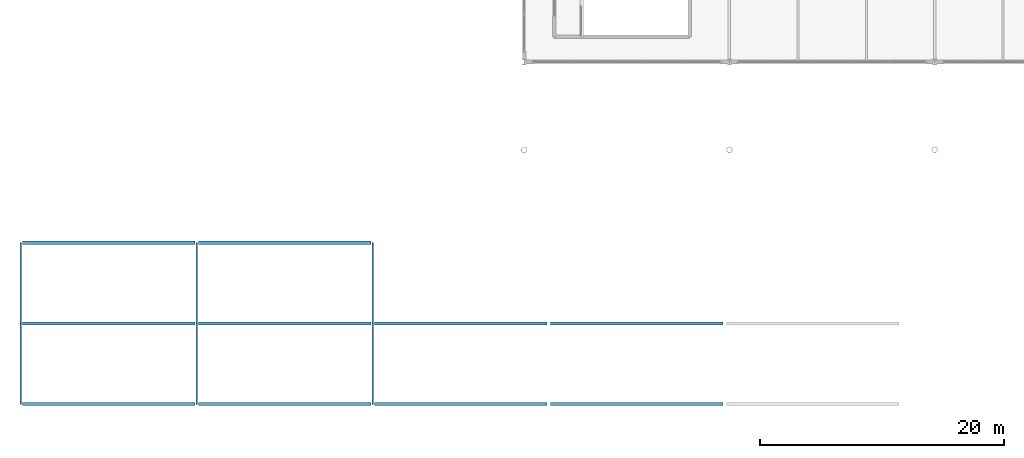
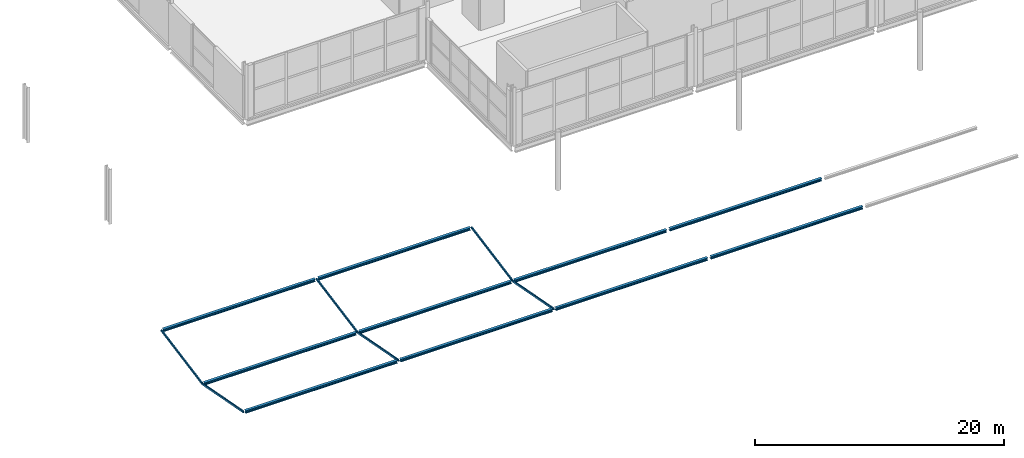
# One storey, part 17 of 84: 10 beams, 6 members.
"""IFC4 building model written with IfcOpenShell, lengths in metres."""

import ifcopenshell
import ifcopenshell.guid

model = None  # the IFC model being written
_history = None  # IfcOwnerHistory: only IFC2X3 demands one
_inside = {}  # id of a spatial element -> (the spatial element, [elements in it])
_under = {}  # id of a project, library or spatial element -> (it, [spatial elements below it])
_declared = {}  # id of a project -> (the project, [libraries it declares])
_typed = {}  # id of a type object -> (the type object, [elements of that type])
_made_of = {}  # id of a material, layer set ... -> (it, [elements and type objects made of it])


def new_model(schema):
    """Start an empty IFC model of exactly this schema.

    Asked for "IFC4X3", IfcOpenShell would pick the latest addendum, in which some entities
    have other attributes; the version numbers below select the first issue.
    IFC2X3 requires an IfcOwnerHistory on every rooted entity: one is made here for all.
    """
    global model, _history
    if schema == "IFC4X3":
        model = ifcopenshell.file(schema_version=(4, 3, 0, 0))
    else:
        model = ifcopenshell.file(schema=schema)
    _inside.clear()
    _under.clear()
    _declared.clear()
    _typed.clear()
    _made_of.clear()
    _history = None
    if model.schema == "IFC2X3":
        org = make("IfcOrganization", Name="unknown")
        user = make(
            "IfcPersonAndOrganization",
            ThePerson=make("IfcPerson", FamilyName="unknown"),
            TheOrganization=org,
        )
        app = make(
            "IfcApplication",
            ApplicationDeveloper=org,
            Version="unknown",
            ApplicationFullName="unknown",
            ApplicationIdentifier="unknown",
        )
        _history = make(
            "IfcOwnerHistory",
            OwningUser=user,
            OwningApplication=app,
            ChangeAction="ADDED",
            CreationDate=0,
        )
    return model


def make(cls, **values):
    """One entity of the class cls with the attributes given. An attribute that is None is left unset."""
    return model.create_entity(
        cls, **{name: value for name, value in values.items() if value is not None}
    )


def rooted(cls, **values):
    """An entity with a GlobalId (a new one), such as an element, a storey or a relation."""
    return make(cls, GlobalId=ifcopenshell.guid.new(), OwnerHistory=_history, **values)


def si_unit(unit_type, name, prefix=None):
    """IfcSIUnit, for example si_unit("LENGTHUNIT", "METRE", prefix="MILLI")."""
    return make("IfcSIUnit", UnitType=unit_type, Prefix=prefix, Name=name)


def assignment(units):
    """IfcUnitAssignment: the units of a project."""
    return None if units is None else make("IfcUnitAssignment", Units=units)


def point(xyz):
    """IfcCartesianPoint."""
    return None if xyz is None else make("IfcCartesianPoint", Coordinates=xyz)


def direction(xyz):
    """IfcDirection."""
    return None if xyz is None else make("IfcDirection", DirectionRatios=xyz)


def frame(location, z_axis=None, x_axis=None):
    """IfcAxis2Placement3D, a coordinate frame: its origin and axes. An axis left out is left unset."""
    return make(
        "IfcAxis2Placement3D",
        Location=point(location),
        Axis=direction(z_axis),
        RefDirection=direction(x_axis),
    )


def frame_2d(location, x_axis=None):
    """IfcAxis2Placement2D, a coordinate frame in the plane: its origin and x axis."""
    return make(
        "IfcAxis2Placement2D", Location=point(location), RefDirection=direction(x_axis)
    )


def origin():
    """The frame at (0, 0, 0) with its axes left unset."""
    return frame((0.0, 0.0, 0.0))


def origin_2d():
    """The frame at (0, 0) in the plane with its x axis left unset."""
    return frame_2d((0.0, 0.0))


def place(relative_to, where):
    """IfcLocalPlacement: puts the frame where relative to a parent placement (None: the world)."""
    return make(
        "IfcLocalPlacement", PlacementRelTo=relative_to, RelativePlacement=where
    )


def context(
    kind, dimensions, precision=None, world=None, true_north=None, identifier=None
):
    """IfcGeometricRepresentationContext, for example the 3D "Model" context."""
    return make(
        "IfcGeometricRepresentationContext",
        ContextIdentifier=identifier,
        ContextType=kind,
        CoordinateSpaceDimension=dimensions,
        Precision=precision,
        WorldCoordinateSystem=world,
        TrueNorth=true_north,
    )


def subcontext(parent, identifier, kind, view, scale=None):
    """IfcGeometricRepresentationSubContext, for example "Body" below "Model"."""
    return make(
        "IfcGeometricRepresentationSubContext",
        ContextIdentifier=identifier,
        ContextType=kind,
        ParentContext=parent,
        TargetScale=scale,
        TargetView=view,
    )


def project(units=None, contexts=None):
    """IfcProject with its units and contexts."""
    return rooted(
        "IfcProject",
        Name="project",
        RepresentationContexts=contexts,
        UnitsInContext=assignment(units),
    )


def spatial(cls, under=None, at=None, **own):
    """A site, building, storey or space (cls), placed at a placement, below another one or the project."""
    s = rooted(cls, ObjectPlacement=at, **own)
    if under is not None:
        _under.setdefault(under.id(), (under, []))[1].append(s)
    return s


def profile(cls, at=None, kind="AREA", **sizes):
    """A parametric profile (cls). Its sizes go by their IFC names, for example OverallWidth=200.0."""
    return make(cls, ProfileType=kind, Position=at, **sizes)


def hollow_rectangle(**sizes):
    """IfcRectangleHollowProfileDef."""
    return profile("IfcRectangleHollowProfileDef", **sizes)


def i_section(**sizes):
    """IfcIShapeProfileDef."""
    return profile("IfcIShapeProfileDef", **sizes)


def extrude(swept, where, along, depth):
    """IfcExtrudedAreaSolid: the profile swept, set in the frame where, extruded along a direction by depth."""
    return make(
        "IfcExtrudedAreaSolid",
        SweptArea=swept,
        Position=where,
        ExtrudedDirection=direction(along),
        Depth=depth,
    )


def shape(context_of_items, identifier, shape_type, items):
    """IfcShapeRepresentation: the items that make up one representation, for example the "Body"."""
    return make(
        "IfcShapeRepresentation",
        ContextOfItems=context_of_items,
        RepresentationIdentifier=identifier,
        RepresentationType=shape_type,
        Items=items,
    )


def material(Name=None, Category=None):
    """IfcMaterial."""
    return make("IfcMaterial", Name=Name, Category=Category)


def material_profile(
    of_material, cross_section, Name=None, Category=None, Priority=None
):
    """IfcMaterialProfile: a cross section and its material."""
    return make(
        "IfcMaterialProfile",
        Name=Name,
        Material=of_material,
        Profile=cross_section,
        Priority=Priority,
        Category=Category,
    )


def profile_set(profiles, Name=None, composite=None):
    """IfcMaterialProfileSet."""
    return make(
        "IfcMaterialProfileSet",
        Name=Name,
        MaterialProfiles=profiles,
        CompositeProfile=composite,
    )


def made_of(thing, what):
    """Note that an element or type object is made of a material, layer set ...; save() writes the relation."""
    if what is not None:
        _made_of.setdefault(what.id(), (what, []))[1].append(thing)
    return thing


def type_object(cls, material=None, **own):
    """A type object (cls), such as IfcWallType, which elements share."""
    return made_of(rooted(cls, **own), material)


def element(
    cls,
    number,
    at=None,
    inside=None,
    cuts=None,
    type_object=None,
    material=None,
    context=None,
    identifier="Body",
    shape_type=None,
    held_by="IfcProductDefinitionShape",
    body=None,
    shapes=None,
    **own,
):
    """One element of the class cls, such as IfcWall. Its Tag is "e" and its number.

    at: its placement. inside: the storey or other place that contains it. cuts: it is an
    opening in that element (IfcRelVoidsElement). A single representation is given by context,
    identifier, shape_type and body (its items); several are given by shapes. held_by: the class
    of the entity that holds the representations. save() writes the other relations.
    """
    e = rooted(cls, Tag="e%d" % number, ObjectPlacement=at, **own)
    if body is not None:
        shapes = [shape(context, identifier, shape_type, body)]
    if shapes is not None:
        e.Representation = make(held_by, Representations=shapes)
    if inside is not None:
        _inside.setdefault(inside.id(), (inside, []))[1].append(e)
    if cuts is not None:
        rooted(
            "IfcRelVoidsElement", RelatingBuildingElement=cuts, RelatedOpeningElement=e
        )
    if type_object is not None:
        _typed.setdefault(type_object.id(), (type_object, []))[1].append(e)
    return made_of(e, material)


def aggregate(whole, parts):
    """IfcRelAggregates: a whole, such as a stair, and the parts it consists of."""
    return rooted("IfcRelAggregates", RelatingObject=whole, RelatedObjects=parts)


def save(model, path):
    """Write the relations noted so far, then the file.

    IfcRelAggregates (storeys below a building ...), IfcRelContainedInSpatialStructure (elements
    in a storey), IfcRelDefinesByType, IfcRelAssociatesMaterial and IfcRelDeclares: one each for
    every whole, place, type object, material and project.
    """
    for whole, parts in _under.values():
        aggregate(whole, parts)
    for where, things in _inside.values():
        rooted(
            "IfcRelContainedInSpatialStructure",
            RelatedElements=things,
            RelatingStructure=where,
        )
    for kind, things in _typed.values():
        rooted("IfcRelDefinesByType", RelatedObjects=things, RelatingType=kind)
    for what, things in _made_of.values():
        rooted("IfcRelAssociatesMaterial", RelatedObjects=things, RelatingMaterial=what)
    for by, libraries in _declared.values():
        rooted("IfcRelDeclares", RelatingContext=by, RelatedDefinitions=libraries)
    model.write(path)


model = new_model("IFC4")

# Units and contexts
model_context = context("Model", 3, precision=1e-05, world=origin(), true_north=direction((0.0, 1.0)))
body_context = subcontext(model_context, "Body", "Model", "MODEL_VIEW")
ifc_project = project(units=[si_unit("LENGTHUNIT", "METRE"), si_unit("AREAUNIT", "SQUARE_METRE"), si_unit("VOLUMEUNIT", "CUBIC_METRE"), si_unit("PLANEANGLEUNIT", "RADIAN"), si_unit("MASSUNIT", "GRAM", prefix="KILO")], contexts=[model_context])

# Site, building, storey
site_placement = place(None, origin())
site = spatial("IfcSite", under=ifc_project, at=site_placement, CompositionType="ELEMENT")
building_placement = place(site_placement, origin())
building = spatial("IfcBuilding", under=site, at=building_placement, Name="Kimbaza Rail Terminus", CompositionType="ELEMENT")
storey_placement = place(building_placement, frame((0.0, 0.0, 5.39990234375)))
storey = spatial("IfcBuildingStorey", under=building, at=storey_placement, Name="L01", CompositionType="ELEMENT", Elevation=5.39990234375)

# Beams
ifc_material_1 = material(Name="Steel S355", Category="steel")
ifc_material_profile_1 = material_profile(ifc_material_1, i_section(OverallWidth=0.260009765625, OverallDepth=0.25, WebThickness=0.007568359375, FlangeThickness=0.012451171875, FilletRadius=0.02392578125, at=origin_2d()), Name="HEA 260")
ifc_profile_set_1 = profile_set([ifc_material_profile_1], Name="Steel S355")
beam_type = type_object("IfcBeamType", Name="STR-BM-HEA260", PredefinedType="BEAM", material=ifc_profile_set_1)
for number, where, z_axis, x_axis, name in (
    (1, (14.139892578125, 13.0, 5.175048828125), (1.0, 0.0, 0.0), (0.0, 1.0, 0.0), "Beam BM-V3X-0-0"),
    (2, (14.139892578125, 19.60009765625, 3.925048828125), (1.0, 0.0, 0.0), (0.0, 1.0, 0.0), "Beam BM-V3X-0-1"),
    (3, (14.139892578125, 26.199951171875, 5.175048828125), (1.0, 0.0, 0.0), (0.0, 1.0, 0.0), "Beam BM-V3X-0-2"),
):
    element("IfcBeam", number, at=place(storey_placement, frame(where, z_axis=z_axis, x_axis=x_axis)), inside=storey, type_object=beam_type, Name=name, PredefinedType="BEAM", context=body_context, shape_type="SweptSolid", body=[
        extrude(i_section(OverallWidth=0.260009765625, OverallDepth=0.25, WebThickness=0.007568359375, FlangeThickness=0.012451171875, FilletRadius=0.02392578125, at=origin_2d()), origin(), (0.0, 0.0, 1.0), 14.1201171875),
    ])
for number, where, z_axis, x_axis, name in (
    (4, (28.5400390625, 13.0, 5.175048828125), (1.0, 0.0, 0.0), (0.0, 1.0, 0.0), "Beam BM-V3X-1-0"),
    (5, (28.5400390625, 19.60009765625, 3.925048828125), (1.0, 0.0, 0.0), (0.0, 1.0, 0.0), "Beam BM-V3X-1-1"),
    (6, (28.5400390625, 26.199951171875, 5.175048828125), (1.0, 0.0, 0.0), (0.0, 1.0, 0.0), "Beam BM-V3X-1-2"),
):
    element("IfcBeam", number, at=place(storey_placement, frame(where, z_axis=z_axis, x_axis=x_axis)), inside=storey, type_object=beam_type, Name=name, PredefinedType="BEAM", context=body_context, shape_type="SweptSolid", body=[
        extrude(i_section(OverallWidth=0.260009765625, OverallDepth=0.25, WebThickness=0.007568359375, FlangeThickness=0.012451171875, FilletRadius=0.02392578125, at=origin_2d()), origin(), (0.0, 0.0, 1.0), 14.119873046875),
    ])
for number, where, z_axis, x_axis, name in (
    (7, (42.93994140625, 13.0, 5.175048828125), (1.0, 0.0, 0.0), (0.0, 1.0, 0.0), "Beam BM-V3X-2-0"),
    (8, (42.93994140625, 19.60009765625, 3.925048828125), (1.0, 0.0, 0.0), (0.0, 1.0, 0.0), "Beam BM-V3X-2-1"),
):
    element("IfcBeam", number, at=place(storey_placement, frame(where, z_axis=z_axis, x_axis=x_axis)), inside=storey, type_object=beam_type, Name=name, PredefinedType="BEAM", context=body_context, shape_type="SweptSolid", body=[
        extrude(i_section(OverallWidth=0.260009765625, OverallDepth=0.25, WebThickness=0.007568359375, FlangeThickness=0.012451171875, FilletRadius=0.02392578125, at=origin_2d()), origin(), (0.0, 0.0, 1.0), 14.1201171875),
    ])
for number, where, z_axis, x_axis, name in (
    (9, (57.340087890625, 13.0, 5.175048828125), (1.0, 0.0, 0.0), (0.0, 1.0, 0.0), "Beam BM-V3X-3-0"),
    (10, (57.340087890625, 19.60009765625, 3.925048828125), (1.0, 0.0, 0.0), (0.0, 1.0, 0.0), "Beam BM-V3X-3-1"),
):
    element("IfcBeam", number, at=place(storey_placement, frame(where, z_axis=z_axis, x_axis=x_axis)), inside=storey, type_object=beam_type, Name=name, PredefinedType="BEAM", context=body_context, shape_type="SweptSolid", body=[
        extrude(i_section(OverallWidth=0.260009765625, OverallDepth=0.25, WebThickness=0.007568359375, FlangeThickness=0.012451171875, FilletRadius=0.02392578125, at=origin_2d()), origin(), (0.0, 0.0, 1.0), 14.119873046875),
    ])

# Members
ifc_material_2 = material(Name="Steel S355", Category="steel")
ifc_material_profile_2 = material_profile(ifc_material_2, hollow_rectangle(XDim=0.1201171875, YDim=0.199951171875, WallThickness=0.00634765625, InnerFilletRadius=0.009521484375, OuterFilletRadius=0.015869140625, at=origin_2d()), Name="RHS 200x120x6.3")
ifc_profile_set_2 = profile_set([ifc_material_profile_2], Name="Steel S355")
member_type = type_object("IfcMemberType", Name="STR-MB-RHS200", PredefinedType="PURLIN", material=ifc_profile_set_2)
member_1_placement = place(storey_placement, frame((14.0, 13.0, 5.2001953125), z_axis=(0.0, 0.982533985166, -0.186083228677), x_axis=(-1.0, 0.0, 0.0)))
element("IfcMember", 11, at=member_1_placement, inside=storey, type_object=member_type, Name="Canopy Rafter S1", PredefinedType="PURLIN", context=body_context, shape_type="SweptSolid", body=[
    extrude(hollow_rectangle(XDim=0.1201171875, YDim=0.199951171875, WallThickness=0.00634765625, InnerFilletRadius=0.009521484375, OuterFilletRadius=0.015869140625, at=origin_2d()), origin(), (0.0, 0.0, 1.0), 6.717529296875),
])
member_2_placement = place(storey_placement, frame((14.0, 19.60009765625, 3.9501953125), z_axis=(0.0, 0.982532726602, 0.186089873865), x_axis=(-1.0, 0.0, 0.0)))
element("IfcMember", 12, at=member_2_placement, inside=storey, type_object=member_type, Name="Canopy Rafter N1", PredefinedType="PURLIN", context=body_context, shape_type="SweptSolid", body=[
    extrude(hollow_rectangle(XDim=0.1201171875, YDim=0.199951171875, WallThickness=0.00634765625, InnerFilletRadius=0.009521484375, OuterFilletRadius=0.015869140625, at=origin_2d()), origin(), (0.0, 0.0, 1.0), 6.71728515625),
])
member_3_placement = place(storey_placement, frame((28.39990234375, 13.0, 5.2001953125), z_axis=(0.0, 0.982533985166, -0.186083228677), x_axis=(-1.0, 0.0, 0.0)))
element("IfcMember", 13, at=member_3_placement, inside=storey, type_object=member_type, Name="Canopy Rafter S2", PredefinedType="PURLIN", context=body_context, shape_type="SweptSolid", body=[
    extrude(hollow_rectangle(XDim=0.1201171875, YDim=0.199951171875, WallThickness=0.00634765625, InnerFilletRadius=0.009521484375, OuterFilletRadius=0.015869140625, at=origin_2d()), origin(), (0.0, 0.0, 1.0), 6.717529296875),
])
member_4_placement = place(storey_placement, frame((28.39990234375, 19.60009765625, 3.9501953125), z_axis=(0.0, 0.982532726602, 0.186089873865), x_axis=(-1.0, 0.0, 0.0)))
element("IfcMember", 14, at=member_4_placement, inside=storey, type_object=member_type, Name="Canopy Rafter N2", PredefinedType="PURLIN", context=body_context, shape_type="SweptSolid", body=[
    extrude(hollow_rectangle(XDim=0.1201171875, YDim=0.199951171875, WallThickness=0.00634765625, InnerFilletRadius=0.009521484375, OuterFilletRadius=0.015869140625, at=origin_2d()), origin(), (0.0, 0.0, 1.0), 6.71728515625),
])
member_5_placement = place(storey_placement, frame((42.800048828125, 13.0, 5.2001953125), z_axis=(0.0, 0.982533985166, -0.186083228677), x_axis=(-1.0, 0.0, 0.0)))
element("IfcMember", 15, at=member_5_placement, inside=storey, type_object=member_type, Name="Canopy Rafter S3", PredefinedType="PURLIN", context=body_context, shape_type="SweptSolid", body=[
    extrude(hollow_rectangle(XDim=0.1201171875, YDim=0.199951171875, WallThickness=0.00634765625, InnerFilletRadius=0.009521484375, OuterFilletRadius=0.015869140625, at=origin_2d()), origin(), (0.0, 0.0, 1.0), 6.717529296875),
])
member_6_placement = place(storey_placement, frame((42.800048828125, 19.60009765625, 3.9501953125), z_axis=(0.0, 0.982532726602, 0.186089873865), x_axis=(-1.0, 0.0, 0.0)))
element("IfcMember", 16, at=member_6_placement, inside=storey, type_object=member_type, Name="Canopy Rafter N3", PredefinedType="PURLIN", context=body_context, shape_type="SweptSolid", body=[
    extrude(hollow_rectangle(XDim=0.1201171875, YDim=0.199951171875, WallThickness=0.00634765625, InnerFilletRadius=0.009521484375, OuterFilletRadius=0.015869140625, at=origin_2d()), origin(), (0.0, 0.0, 1.0), 6.71728515625),
])

save(model, "model.ifc")
